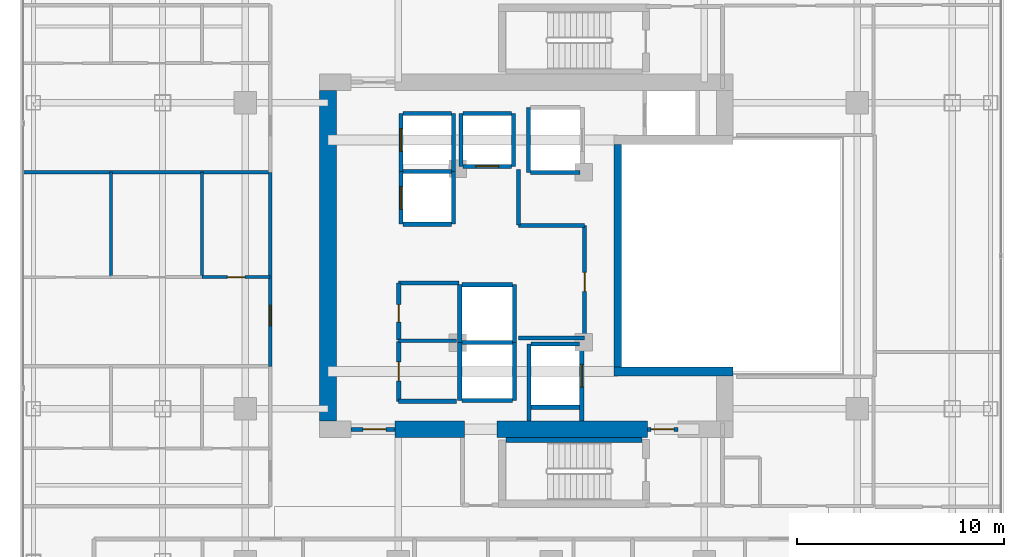
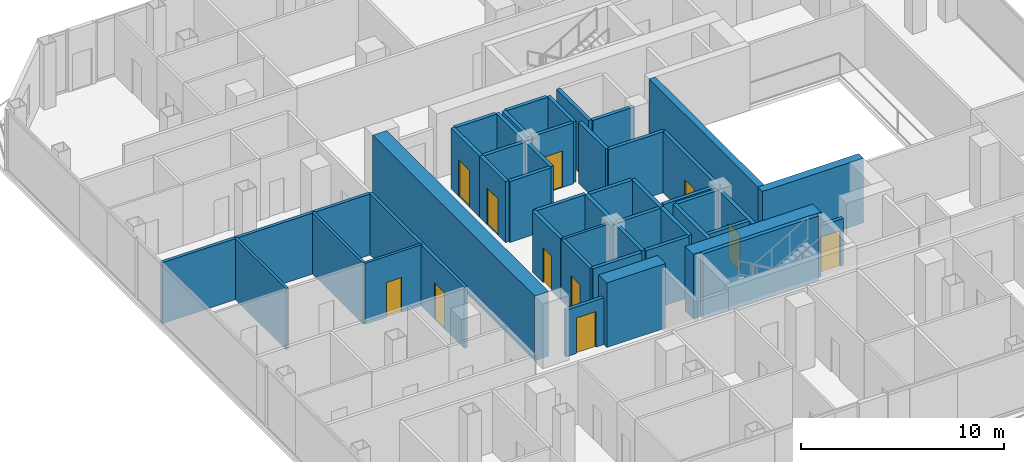
# One storey, part 20 of 26: 46 walls, 11 doors, 11 openings.
"""IFC4 building model written with IfcOpenShell, lengths in metres."""

import ifcopenshell
import ifcopenshell.guid

model = None  # the IFC model being written
_history = None  # IfcOwnerHistory: only IFC2X3 demands one
_inside = {}  # id of a spatial element -> (the spatial element, [elements in it])
_under = {}  # id of a project, library or spatial element -> (it, [spatial elements below it])
_declared = {}  # id of a project -> (the project, [libraries it declares])
_typed = {}  # id of a type object -> (the type object, [elements of that type])
_made_of = {}  # id of a material, layer set ... -> (it, [elements and type objects made of it])


def new_model(schema):
    """Start an empty IFC model of exactly this schema.

    Asked for "IFC4X3", IfcOpenShell would pick the latest addendum, in which some entities
    have other attributes; the version numbers below select the first issue.
    IFC2X3 requires an IfcOwnerHistory on every rooted entity: one is made here for all.
    """
    global model, _history
    if schema == "IFC4X3":
        model = ifcopenshell.file(schema_version=(4, 3, 0, 0))
    else:
        model = ifcopenshell.file(schema=schema)
    _inside.clear()
    _under.clear()
    _declared.clear()
    _typed.clear()
    _made_of.clear()
    _history = None
    if model.schema == "IFC2X3":
        org = make("IfcOrganization", Name="unknown")
        user = make(
            "IfcPersonAndOrganization",
            ThePerson=make("IfcPerson", FamilyName="unknown"),
            TheOrganization=org,
        )
        app = make(
            "IfcApplication",
            ApplicationDeveloper=org,
            Version="unknown",
            ApplicationFullName="unknown",
            ApplicationIdentifier="unknown",
        )
        _history = make(
            "IfcOwnerHistory",
            OwningUser=user,
            OwningApplication=app,
            ChangeAction="ADDED",
            CreationDate=0,
        )
    return model


def make(cls, **values):
    """One entity of the class cls with the attributes given. An attribute that is None is left unset."""
    return model.create_entity(
        cls, **{name: value for name, value in values.items() if value is not None}
    )


def rooted(cls, **values):
    """An entity with a GlobalId (a new one), such as an element, a storey or a relation."""
    return make(cls, GlobalId=ifcopenshell.guid.new(), OwnerHistory=_history, **values)


def si_unit(unit_type, name, prefix=None):
    """IfcSIUnit, for example si_unit("LENGTHUNIT", "METRE", prefix="MILLI")."""
    return make("IfcSIUnit", UnitType=unit_type, Prefix=prefix, Name=name)


def assignment(units):
    """IfcUnitAssignment: the units of a project."""
    return None if units is None else make("IfcUnitAssignment", Units=units)


def point(xyz):
    """IfcCartesianPoint."""
    return None if xyz is None else make("IfcCartesianPoint", Coordinates=xyz)


def direction(xyz):
    """IfcDirection."""
    return None if xyz is None else make("IfcDirection", DirectionRatios=xyz)


def frame(location, z_axis=None, x_axis=None):
    """IfcAxis2Placement3D, a coordinate frame: its origin and axes. An axis left out is left unset."""
    return make(
        "IfcAxis2Placement3D",
        Location=point(location),
        Axis=direction(z_axis),
        RefDirection=direction(x_axis),
    )


def frame_2d(location, x_axis=None):
    """IfcAxis2Placement2D, a coordinate frame in the plane: its origin and x axis."""
    return make(
        "IfcAxis2Placement2D", Location=point(location), RefDirection=direction(x_axis)
    )


def origin():
    """The frame at (0, 0, 0) with its axes left unset."""
    return frame((0.0, 0.0, 0.0))


def place(relative_to, where):
    """IfcLocalPlacement: puts the frame where relative to a parent placement (None: the world)."""
    return make(
        "IfcLocalPlacement", PlacementRelTo=relative_to, RelativePlacement=where
    )


def context(
    kind, dimensions, precision=None, world=None, true_north=None, identifier=None
):
    """IfcGeometricRepresentationContext, for example the 3D "Model" context."""
    return make(
        "IfcGeometricRepresentationContext",
        ContextIdentifier=identifier,
        ContextType=kind,
        CoordinateSpaceDimension=dimensions,
        Precision=precision,
        WorldCoordinateSystem=world,
        TrueNorth=true_north,
    )


def subcontext(parent, identifier, kind, view, scale=None):
    """IfcGeometricRepresentationSubContext, for example "Body" below "Model"."""
    return make(
        "IfcGeometricRepresentationSubContext",
        ContextIdentifier=identifier,
        ContextType=kind,
        ParentContext=parent,
        TargetScale=scale,
        TargetView=view,
    )


def project(units=None, contexts=None):
    """IfcProject with its units and contexts."""
    return rooted(
        "IfcProject",
        Name="project",
        RepresentationContexts=contexts,
        UnitsInContext=assignment(units),
    )


def spatial(cls, under=None, at=None, **own):
    """A site, building, storey or space (cls), placed at a placement, below another one or the project."""
    s = rooted(cls, ObjectPlacement=at, **own)
    if under is not None:
        _under.setdefault(under.id(), (under, []))[1].append(s)
    return s


def profile(cls, at=None, kind="AREA", **sizes):
    """A parametric profile (cls). Its sizes go by their IFC names, for example OverallWidth=200.0."""
    return make(cls, ProfileType=kind, Position=at, **sizes)


def rectangle(**sizes):
    """IfcRectangleProfileDef."""
    return profile("IfcRectangleProfileDef", **sizes)


def extrude(swept, where, along, depth):
    """IfcExtrudedAreaSolid: the profile swept, set in the frame where, extruded along a direction by depth."""
    return make(
        "IfcExtrudedAreaSolid",
        SweptArea=swept,
        Position=where,
        ExtrudedDirection=direction(along),
        Depth=depth,
    )


def shape(context_of_items, identifier, shape_type, items):
    """IfcShapeRepresentation: the items that make up one representation, for example the "Body"."""
    return make(
        "IfcShapeRepresentation",
        ContextOfItems=context_of_items,
        RepresentationIdentifier=identifier,
        RepresentationType=shape_type,
        Items=items,
    )


def material(Name=None, Category=None):
    """IfcMaterial."""
    return make("IfcMaterial", Name=Name, Category=Category)


def layer(
    of_material, thickness, ventilated=None, Name=None, Category=None, Priority=None
):
    """IfcMaterialLayer: one layer of a wall or slab, of a material (None: an air gap)."""
    return make(
        "IfcMaterialLayer",
        Material=of_material,
        LayerThickness=thickness,
        IsVentilated=ventilated,
        Name=Name,
        Category=Category,
        Priority=Priority,
    )


def layer_set(layers, Name=None):
    """IfcMaterialLayerSet."""
    return make("IfcMaterialLayerSet", MaterialLayers=layers, LayerSetName=Name)


def made_of(thing, what):
    """Note that an element or type object is made of a material, layer set ...; save() writes the relation."""
    if what is not None:
        _made_of.setdefault(what.id(), (what, []))[1].append(thing)
    return thing


def type_object(cls, material=None, **own):
    """A type object (cls), such as IfcWallType, which elements share."""
    return made_of(rooted(cls, **own), material)


def element(
    cls,
    number,
    at=None,
    inside=None,
    cuts=None,
    type_object=None,
    material=None,
    context=None,
    identifier="Body",
    shape_type=None,
    held_by="IfcProductDefinitionShape",
    body=None,
    shapes=None,
    **own,
):
    """One element of the class cls, such as IfcWall. Its Tag is "e" and its number.

    at: its placement. inside: the storey or other place that contains it. cuts: it is an
    opening in that element (IfcRelVoidsElement). A single representation is given by context,
    identifier, shape_type and body (its items); several are given by shapes. held_by: the class
    of the entity that holds the representations. save() writes the other relations.
    """
    e = rooted(cls, Tag="e%d" % number, ObjectPlacement=at, **own)
    if body is not None:
        shapes = [shape(context, identifier, shape_type, body)]
    if shapes is not None:
        e.Representation = make(held_by, Representations=shapes)
    if inside is not None:
        _inside.setdefault(inside.id(), (inside, []))[1].append(e)
    if cuts is not None:
        rooted(
            "IfcRelVoidsElement", RelatingBuildingElement=cuts, RelatedOpeningElement=e
        )
    if type_object is not None:
        _typed.setdefault(type_object.id(), (type_object, []))[1].append(e)
    return made_of(e, material)


def fill(opening, filler):
    """IfcRelFillsElement: the door or window that sits in an opening."""
    return rooted(
        "IfcRelFillsElement",
        RelatingOpeningElement=opening,
        RelatedBuildingElement=filler,
    )


def aggregate(whole, parts):
    """IfcRelAggregates: a whole, such as a stair, and the parts it consists of."""
    return rooted("IfcRelAggregates", RelatingObject=whole, RelatedObjects=parts)


def save(model, path):
    """Write the relations noted so far, then the file.

    IfcRelAggregates (storeys below a building ...), IfcRelContainedInSpatialStructure (elements
    in a storey), IfcRelDefinesByType, IfcRelAssociatesMaterial and IfcRelDeclares: one each for
    every whole, place, type object, material and project.
    """
    for whole, parts in _under.values():
        aggregate(whole, parts)
    for where, things in _inside.values():
        rooted(
            "IfcRelContainedInSpatialStructure",
            RelatedElements=things,
            RelatingStructure=where,
        )
    for kind, things in _typed.values():
        rooted("IfcRelDefinesByType", RelatedObjects=things, RelatingType=kind)
    for what, things in _made_of.values():
        rooted("IfcRelAssociatesMaterial", RelatedObjects=things, RelatingMaterial=what)
    for by, libraries in _declared.values():
        rooted("IfcRelDeclares", RelatingContext=by, RelatedDefinitions=libraries)
    model.write(path)


model = new_model("IFC4")

# Units and contexts
model_context = context("Model", 3, precision=1e-05, world=origin(), true_north=direction((0.0, 1.0)))
body_context = subcontext(model_context, "Body", "Model", "MODEL_VIEW")
ifc_project = project(units=[si_unit("LENGTHUNIT", "METRE"), si_unit("AREAUNIT", "SQUARE_METRE"), si_unit("VOLUMEUNIT", "CUBIC_METRE"), si_unit("PLANEANGLEUNIT", "RADIAN"), si_unit("MASSUNIT", "GRAM", prefix="KILO")], contexts=[model_context])

# Site, building, storey
site_placement = place(None, origin())
site = spatial("IfcSite", under=ifc_project, at=site_placement, CompositionType="ELEMENT")
building_placement = place(site_placement, origin())
building = spatial("IfcBuilding", under=site, at=building_placement, Name="Khorvyn Point Tower", CompositionType="ELEMENT")
storey_placement = place(building_placement, frame((0.0, 0.0, 183.60009765625)))
storey = spatial("IfcBuildingStorey", under=building, at=storey_placement, Name="L45", CompositionType="ELEMENT", Elevation=183.60009765625)

# Wall, opening, door
ifc_material_1 = material(Name="Double acoustic gypsum on twin steel stud", Category="steel")
ifc_layer_1 = layer(ifc_material_1, 0.179931640625)
ifc_layer_set_1 = layer_set([ifc_layer_1], Name="Acoustic Double-Stud Apartment Demising Wall 180")
wall_type_1 = type_object("IfcWallType", Name="Acoustic Double-Stud Apartment Demising Wall 180", PredefinedType="PARTITIONING", material=ifc_layer_set_1)
wall_1_placement = place(storey_placement, frame((-13.60009765625, -5.34912109375, 0.0), z_axis=(0.0, 0.0, 1.0), x_axis=(0.0, 1.0, 0.0)))
wall_1 = element("IfcWall", 1, at=wall_1_placement, inside=storey, type_object=wall_type_1, Name="Wall", PredefinedType="PARTITIONING", context=body_context, shape_type="SweptSolid", body=[
    extrude(rectangle(XDim=9.38916015625, YDim=0.179931640625, at=frame_2d((4.694580078125, 0.0))), origin(), (0.0, 0.0, 1.0), 3.679931640625),
])
opening_1_placement = place(wall_1_placement, frame((1.953125, 0.0, 0.0)))
opening_1 = element("IfcOpeningElement", 2, at=opening_1_placement, cuts=wall_1, Name="Opening ID-AP60", PredefinedType="OPENING", context=body_context, shape_type="SweptSolid", body=[
    extrude(rectangle(XDim=1.0, YDim=2.199951171875, at=frame_2d((0.5, 1.10009765625))), frame((0.0, 0.099853515625, 0.0), z_axis=(0.0, -1.0, 0.0), x_axis=(1.0, 0.0, 0.0)), (0.0, 0.0, 1.0), 0.199951171875),
])
ifc_material_2 = material(Name="Engineered hardwood fire-rated leaf", Category="wood")
door_type_1 = type_object("IfcDoorType", Name="Acoustic Solid-Core Timber Apartment Entrance Door 1000x2200", OperationType="NOTDEFINED", PredefinedType="DOOR", material=ifc_material_2)
door_1_placement = place(opening_1_placement, origin())
door_1 = element("IfcDoor", 3, at=door_1_placement, inside=storey, type_object=door_type_1, Name="Door", OperationType="SINGLE_SWING_RIGHT", OverallHeight=2.199951171875, OverallWidth=1.0, PredefinedType="DOOR", context=body_context, shape_type="SweptSolid", body=[
    extrude(rectangle(XDim=1.0, YDim=2.199951171875, at=frame_2d((0.5, 1.10009765625))), frame((0.0, 0.02490234375, 0.0), z_axis=(0.0, -1.0, 0.0), x_axis=(1.0, 0.0, 0.0)), (0.0, 0.0, 1.0), 0.050048828125),
])
fill(opening_1, door_1)

# Walls
wall_2_placement = place(storey_placement, frame((-25.530029296875, 4.0400390625, 0.0), z_axis=(0.0, 0.0, 1.0), x_axis=(1.0, 0.0, 0.0)))
element("IfcWall", 4, at=wall_2_placement, inside=storey, type_object=wall_type_1, Name="Wall", PredefinedType="PARTITIONING", context=body_context, shape_type="SweptSolid", body=[
    extrude(rectangle(XDim=11.929931640625, YDim=0.179931640625, at=frame_2d((5.96484375, 0.0))), origin(), (0.0, 0.0, 1.0), 3.679931640625),
])
ifc_material_3 = material(Name="Concrete C40/50", Category="concrete")
ifc_layer_2 = layer(ifc_material_3, 0.449951171875)
ifc_layer_set_2 = layer_set([ifc_layer_2], Name="Concrete C40/50 Core Shear Wall 450")
wall_type_2 = type_object("IfcWallType", Name="Concrete C40/50 Core Shear Wall 450", PredefinedType="SHEAR", material=ifc_layer_set_2)
wall_3_placement = place(storey_placement, frame((3.044921875, -5.60009765625, 0.0), z_axis=(0.0, 0.0, 1.0), x_axis=(1.0, 0.0, 0.0)))
element("IfcWall", 5, at=wall_3_placement, inside=storey, type_object=wall_type_2, Name="Wall", PredefinedType="SHEAR", context=body_context, shape_type="SweptSolid", body=[
    extrude(rectangle(XDim=5.755126953125, YDim=0.449951171875, at=frame_2d((2.87744140625, 0.0))), origin(), (0.0, 0.0, 1.0), 3.89990234375),
])

# Wall, opening, door
ifc_layer_3 = layer(ifc_material_3, 0.199951171875)
ifc_layer_set_3 = layer_set([ifc_layer_3], Name="Concrete C40/50 Fire-Lobby Compartment Wall 200")
wall_type_3 = type_object("IfcWallType", Name="Concrete C40/50 Fire-Lobby Compartment Wall 200", PredefinedType="SOLIDWALL", material=ifc_layer_set_3)
wall_4_placement = place(storey_placement, frame((4.64990234375, -8.39990234375, 0.0), z_axis=(0.0, 0.0, 1.0), x_axis=(1.0, 0.0, 0.0)))
wall_4 = element("IfcWall", 6, at=wall_4_placement, inside=storey, type_object=wall_type_3, Name="Wall", PredefinedType="SOLIDWALL", context=body_context, shape_type="SweptSolid", body=[
    extrude(rectangle(XDim=1.47021484375, YDim=0.199951171875, at=frame_2d((0.735107421875, 0.0))), origin(), (0.0, 0.0, 1.0), 2.81982421875),
])
opening_2_placement = place(wall_4_placement, frame((0.18505859375, 0.0, 0.0)))
opening_2 = element("IfcOpeningElement", 7, at=opening_2_placement, cuts=wall_4, Name="Opening ID-FL90", PredefinedType="OPENING", context=body_context, shape_type="SweptSolid", body=[
    extrude(rectangle(XDim=1.10009765625, YDim=2.14990234375, at=frame_2d((0.550048828125, 1.074951171875))), frame((0.0, 0.10986328125, 0.0), z_axis=(0.0, -1.0, 0.0), x_axis=(1.0, 0.0, 0.0)), (0.0, 0.0, 1.0), 0.219970703125),
])
ifc_material_4 = material(Name="Galvanised powder-coated steel", Category="steel")
door_type_2 = type_object("IfcDoorType", Name="Fire-Rated Steel Lobby and Stair Door 1100x2150", OperationType="NOTDEFINED", PredefinedType="DOOR", material=ifc_material_4)
door_2_placement = place(opening_2_placement, origin())
door_2 = element("IfcDoor", 8, at=door_2_placement, inside=storey, type_object=door_type_2, Name="Door", OperationType="SINGLE_SWING_RIGHT", OverallHeight=2.14990234375, OverallWidth=1.10009765625, PredefinedType="DOOR", context=body_context, shape_type="SweptSolid", body=[
    extrude(rectangle(XDim=1.10009765625, YDim=2.14990234375, at=frame_2d((0.550048828125, 1.074951171875))), frame((0.0, 0.02490234375, 0.0), z_axis=(0.0, -1.0, 0.0), x_axis=(1.0, 0.0, 0.0)), (0.0, 0.0, 1.0), 0.050048828125),
])
fill(opening_2, door_2)

wall_5_placement = place(storey_placement, frame((-9.699951171875, -8.39990234375, 0.0), z_axis=(0.0, 0.0, 1.0), x_axis=(1.0, 0.0, 0.0)))
wall_5 = element("IfcWall", 9, at=wall_5_placement, inside=storey, type_object=wall_type_3, Name="Wall", PredefinedType="SOLIDWALL", context=body_context, shape_type="SweptSolid", body=[
    extrude(rectangle(XDim=2.14990234375, YDim=0.199951171875, at=frame_2d((1.074951171875, 0.0))), origin(), (0.0, 0.0, 1.0), 2.81982421875),
])
opening_3_placement = place(wall_5_placement, frame((0.597900390625, 0.0, 0.0)))
opening_3 = element("IfcOpeningElement", 10, at=opening_3_placement, cuts=wall_5, Name="Opening ID-FL90", PredefinedType="OPENING", context=body_context, shape_type="SweptSolid", body=[
    extrude(rectangle(XDim=1.10009765625, YDim=2.14990234375, at=frame_2d((0.550048828125, 1.074951171875))), frame((0.0, 0.10986328125, 0.0), z_axis=(0.0, -1.0, 0.0), x_axis=(1.0, 0.0, 0.0)), (0.0, 0.0, 1.0), 0.219970703125),
])
door_3_placement = place(opening_3_placement, origin())
door_3 = element("IfcDoor", 11, at=door_3_placement, inside=storey, type_object=door_type_2, Name="Door", OperationType="SINGLE_SWING_RIGHT", OverallHeight=2.14990234375, OverallWidth=1.10009765625, PredefinedType="DOOR", context=body_context, shape_type="SweptSolid", body=[
    extrude(rectangle(XDim=1.10009765625, YDim=2.14990234375, at=frame_2d((0.550048828125, 1.074951171875))), frame((0.0, 0.02490234375, 0.0), z_axis=(0.0, -1.0, 0.0), x_axis=(1.0, 0.0, 0.0)), (0.0, 0.0, 1.0), 0.050048828125),
])
fill(opening_3, door_3)

wall_6_placement = place(storey_placement, frame((1.610107421875, -3.97998046875, 0.0), z_axis=(0.0, 0.0, 1.0), x_axis=(0.0, 1.0, 0.0)))
wall_6 = element("IfcWall", 12, at=wall_6_placement, inside=storey, type_object=wall_type_3, Name="Wall", PredefinedType="SOLIDWALL", context=body_context, shape_type="SweptSolid", body=[
    extrude(rectangle(XDim=5.43994140625, YDim=0.199951171875, at=frame_2d((2.719970703125, 0.0))), origin(), (0.0, 0.0, 1.0), 3.679931640625),
])
opening_4_placement = place(wall_6_placement, frame((2.260009765625, 0.0, 0.0)))
opening_4 = element("IfcOpeningElement", 13, at=opening_4_placement, cuts=wall_6, Name="Opening ID-RS60", PredefinedType="OPENING", context=body_context, shape_type="SweptSolid", body=[
    extrude(rectangle(XDim=0.919921875, YDim=2.10009765625, at=frame_2d((0.4599609375, 1.050048828125))), frame((0.0, 0.10986328125, 0.0), z_axis=(0.0, -1.0, 0.0), x_axis=(1.0, 0.0, 0.0)), (0.0, 0.0, 1.0), 0.219970703125),
])
door_type_3 = type_object("IfcDoorType", Name="Fire-Rated Riser and Store Steel Door 920x2100", OperationType="NOTDEFINED", PredefinedType="DOOR", material=ifc_material_4)
door_4_placement = place(opening_4_placement, origin())
door_4 = element("IfcDoor", 14, at=door_4_placement, inside=storey, type_object=door_type_3, Name="Door", OperationType="SINGLE_SWING_LEFT", OverallHeight=2.10009765625, OverallWidth=0.919921875, PredefinedType="DOOR", context=body_context, shape_type="SweptSolid", body=[
    extrude(rectangle(XDim=0.919921875, YDim=2.10009765625, at=frame_2d((0.4599609375, 1.050048828125))), frame((0.0, 0.02490234375, 0.0), z_axis=(0.0, -1.0, 0.0), x_axis=(1.0, 0.0, 0.0)), (0.0, 0.0, 1.0), 0.050048828125),
])
fill(opening_4, door_4)

wall_7_placement = place(storey_placement, frame((-7.3798828125, -7.0400390625, 0.0), z_axis=(0.0, 0.0, 1.0), x_axis=(0.0, 1.0, 0.0)))
wall_7 = element("IfcWall", 15, at=wall_7_placement, inside=storey, type_object=wall_type_3, Name="Wall", PredefinedType="SOLIDWALL", context=body_context, shape_type="SweptSolid", body=[
    extrude(rectangle(XDim=2.900146484375, YDim=0.199951171875, at=frame_2d((1.4501953125, 0.0))), origin(), (0.0, 0.0, 1.0), 3.679931640625),
])
opening_5_placement = place(wall_7_placement, frame((0.989990234375, 0.0, 0.0)))
opening_5 = element("IfcOpeningElement", 16, at=opening_5_placement, cuts=wall_7, Name="Opening ID-RS60", PredefinedType="OPENING", context=body_context, shape_type="SweptSolid", body=[
    extrude(rectangle(XDim=0.919921875, YDim=2.10009765625, at=frame_2d((0.4599609375, 1.050048828125))), frame((0.0, 0.10986328125, 0.0), z_axis=(0.0, -1.0, 0.0), x_axis=(1.0, 0.0, 0.0)), (0.0, 0.0, 1.0), 0.219970703125),
])
door_5_placement = place(opening_5_placement, origin())
door_5 = element("IfcDoor", 17, at=door_5_placement, inside=storey, type_object=door_type_3, Name="Door", OperationType="SINGLE_SWING_RIGHT", OverallHeight=2.10009765625, OverallWidth=0.919921875, PredefinedType="DOOR", context=body_context, shape_type="SweptSolid", body=[
    extrude(rectangle(XDim=0.919921875, YDim=2.10009765625, at=frame_2d((0.4599609375, 1.050048828125))), frame((0.0, 0.02490234375, 0.0), z_axis=(0.0, -1.0, 0.0), x_axis=(1.0, 0.0, 0.0)), (0.0, 0.0, 1.0), 0.050048828125),
])
fill(opening_5, door_5)

wall_8_placement = place(storey_placement, frame((-7.3798828125, -4.080078125, 0.0), z_axis=(0.0, 0.0, 1.0), x_axis=(0.0, 1.0, 0.0)))
wall_8 = element("IfcWall", 18, at=wall_8_placement, inside=storey, type_object=wall_type_3, Name="Wall", PredefinedType="SOLIDWALL", context=body_context, shape_type="SweptSolid", body=[
    extrude(rectangle(XDim=2.760009765625, YDim=0.199951171875, at=frame_2d((1.3798828125, 0.0))), origin(), (0.0, 0.0, 1.0), 3.679931640625),
])
opening_6_placement = place(wall_8_placement, frame((0.86669921875, 0.0, 0.0)))
opening_6 = element("IfcOpeningElement", 19, at=opening_6_placement, cuts=wall_8, Name="Opening ID-WC85", PredefinedType="OPENING", context=body_context, shape_type="SweptSolid", body=[
    extrude(rectangle(XDim=0.85009765625, YDim=2.10009765625, at=frame_2d((0.425048828125, 1.050048828125))), frame((0.0, 0.10986328125, 0.0), z_axis=(0.0, -1.0, 0.0), x_axis=(1.0, 0.0, 0.0)), (0.0, 0.0, 1.0), 0.219970703125),
])
ifc_material_5 = material(Name="High-pressure laminate on moisture-resistant core", Category="wood")
door_type_4 = type_object("IfcDoorType", Name="Moisture-Resistant Accessible Washroom Door 850x2100", OperationType="NOTDEFINED", PredefinedType="DOOR", material=ifc_material_5)
door_6_placement = place(opening_6_placement, origin())
door_6 = element("IfcDoor", 20, at=door_6_placement, inside=storey, type_object=door_type_4, Name="Door", OperationType="SINGLE_SWING_LEFT", OverallHeight=2.10009765625, OverallWidth=0.85009765625, PredefinedType="DOOR", context=body_context, shape_type="SweptSolid", body=[
    extrude(rectangle(XDim=0.85009765625, YDim=2.10009765625, at=frame_2d((0.425048828125, 1.050048828125))), frame((0.0, 0.02490234375, 0.0), z_axis=(0.0, -1.0, 0.0), x_axis=(1.0, 0.0, 0.0)), (0.0, 0.0, 1.0), 0.050048828125),
])
fill(opening_6, door_6)

# Walls
wall_9_placement = place(storey_placement, frame((-7.3798828125, -1.320068359375, 0.0), z_axis=(0.0, 0.0, 1.0), x_axis=(1.0, 0.0, 0.0)))
element("IfcWall", 21, at=wall_9_placement, inside=storey, type_object=wall_type_3, Name="Wall", PredefinedType="SOLIDWALL", context=body_context, shape_type="SweptSolid", body=[
    extrude(rectangle(XDim=2.909912109375, YDim=0.199951171875, at=frame_2d((1.455078125, 0.0))), origin(), (0.0, 0.0, 1.0), 3.679931640625),
])
wall_10_placement = place(storey_placement, frame((-1.580078125, 1.47998046875, 0.0), z_axis=(0.0, 0.0, 1.0), x_axis=(0.0, 1.0, 0.0)))
element("IfcWall", 22, at=wall_10_placement, inside=storey, type_object=wall_type_3, Name="Wall", PredefinedType="SOLIDWALL", context=body_context, shape_type="SweptSolid", body=[
    extrude(rectangle(XDim=2.699951171875, YDim=0.199951171875, at=frame_2d((1.35009765625, 0.0))), origin(), (0.0, 0.0, 1.0), 3.679931640625),
])
for number, where, z_axis, x_axis, name in (
    (23, (-1.580078125, -3.97998046875, 0.0), (0.0, 0.0, 1.0), (1.0, 0.0, 0.0), "Wall"),
    (24, (-1.580078125, 1.4599609375, 0.0), (0.0, 0.0, 1.0), (1.0, 0.0, 0.0), "Wall"),
):
    element("IfcWall", number, at=place(storey_placement, frame(where, z_axis=z_axis, x_axis=x_axis)), inside=storey, type_object=wall_type_3, Name=name, PredefinedType="SOLIDWALL", context=body_context, shape_type="SweptSolid", body=[
        extrude(rectangle(XDim=3.190185546875, YDim=0.199951171875, at=frame_2d((1.59521484375, 0.0))), origin(), (0.0, 0.0, 1.0), 3.679931640625),
    ])
wall_11_placement = place(storey_placement, frame((-7.3798828125, -7.0400390625, 0.0), z_axis=(0.0, 0.0, 1.0), x_axis=(1.0, 0.0, 0.0)))
element("IfcWall", 25, at=wall_11_placement, inside=storey, type_object=wall_type_3, Name="Wall", PredefinedType="SOLIDWALL", context=body_context, shape_type="SweptSolid", body=[
    extrude(rectangle(XDim=2.7998046875, YDim=0.199951171875, at=frame_2d((1.39990234375, 0.0))), origin(), (0.0, 0.0, 1.0), 3.679931640625),
])
ifc_layer_4 = layer(ifc_material_3, 0.25)
ifc_layer_set_4 = layer_set([ifc_layer_4], Name="Concrete C40/50 Stair Inner Cheek Structural Wall 250")
wall_type_4 = type_object("IfcWallType", Name="Concrete C40/50 Stair Inner Cheek Structural Wall 250", PredefinedType="SHEAR", material=ifc_layer_set_4)
wall_12_placement = place(storey_placement, frame((-2.199951171875, -8.91259765625, 0.0), z_axis=(0.0, 0.0, 1.0), x_axis=(1.0, 0.0, 0.0)))
element("IfcWall", 26, at=wall_12_placement, inside=storey, type_object=wall_type_4, Name="Wall", PredefinedType="SHEAR", context=body_context, shape_type="SweptSolid", body=[
    extrude(rectangle(XDim=6.599853515625, YDim=0.22509765625, at=frame_2d((3.2998046875, 0.0))), origin(), (0.0, 0.0, 1.0), 3.89990234375),
])
ifc_layer_5 = layer(ifc_material_3, 0.35009765625)
ifc_layer_set_5 = layer_set([ifc_layer_5], Name="Concrete C40/50 Stair Shaft Structural Wall 350")
wall_type_5 = type_object("IfcWallType", Name="Concrete C40/50 Stair Shaft Structural Wall 350", PredefinedType="SHEAR", material=ifc_layer_set_5)
wall_13_placement = place(storey_placement, frame((3.219970703125, -5.375, 0.0), z_axis=(0.0, 0.0, 1.0), x_axis=(0.0, 1.0, 0.0)))
element("IfcWall", 27, at=wall_13_placement, inside=storey, type_object=wall_type_5, Name="Wall", PredefinedType="SHEAR", context=body_context, shape_type="SweptSolid", body=[
    extrude(rectangle(XDim=10.75, YDim=0.35009765625, at=frame_2d((5.375, 0.0))), origin(), (0.0, 0.0, 1.0), 3.89990234375),
])

# Wall, opening, door
ifc_layer_6 = layer(ifc_material_3, 0.199951171875)
ifc_layer_set_6 = layer_set([ifc_layer_6], Name="Concrete C40/50 Structural Hoistway and Stair Shaft Wall 200")
wall_type_6 = type_object("IfcWallType", Name="Concrete C40/50 Structural Hoistway and Stair Shaft Wall 200", PredefinedType="SHEAR", material=ifc_layer_set_6)
wall_14_placement = place(storey_placement, frame((-7.27490234375, 1.52490234375, 0.0), z_axis=(0.0, 0.0, 1.0), x_axis=(0.0, 1.0, 0.0)))
wall_14 = element("IfcWall", 28, at=wall_14_placement, inside=storey, type_object=wall_type_6, Name="Wall", PredefinedType="SHEAR", context=body_context, shape_type="SweptSolid", body=[
    extrude(rectangle(XDim=2.550048828125, YDim=0.199951171875, at=frame_2d((1.27490234375, 0.0))), origin(), (0.0, 0.0, 1.0), 3.679931640625),
])
opening_7_placement = place(wall_14_placement, frame((0.72509765625, 0.0, 0.0)))
opening_7 = element("IfcOpeningElement", 29, at=opening_7_placement, cuts=wall_14, Name="Opening LD-1122", PredefinedType="OPENING", context=body_context, shape_type="SweptSolid", body=[
    extrude(rectangle(XDim=1.10009765625, YDim=2.199951171875, at=frame_2d((0.550048828125, 1.10009765625))), frame((0.0, 0.10986328125, 0.0), z_axis=(0.0, -1.0, 0.0), x_axis=(1.0, 0.0, 0.0)), (0.0, 0.0, 1.0), 0.219970703125),
])
ifc_material_6 = material(Name="Stainless steel 1.4301", Category="steel")
door_type_5 = type_object("IfcDoorType", Name="Stainless Steel Automatic Sliding Lift Landing Door 1100x2200", OperationType="SLIDING_TO_LEFT", PredefinedType="DOOR", material=ifc_material_6)
door_7_placement = place(opening_7_placement, origin())
door_7 = element("IfcDoor", 30, at=door_7_placement, inside=storey, type_object=door_type_5, Name="L45 RM-01 Sliding Lift Landing Door", OperationType="SLIDING_TO_LEFT", OverallHeight=2.199951171875, OverallWidth=1.10009765625, PredefinedType="DOOR", context=body_context, shape_type="SweptSolid", body=[
    extrude(rectangle(XDim=1.10009765625, YDim=2.199951171875, at=frame_2d((0.550048828125, 1.10009765625))), frame((0.0, 0.02490234375, 0.0), z_axis=(0.0, -1.0, 0.0), x_axis=(1.0, 0.0, 0.0)), (0.0, 0.0, 1.0), 0.050048828125),
])
fill(opening_7, door_7)

# Walls
wall_15_placement = place(storey_placement, frame((-4.72509765625, 1.52490234375, 0.0), z_axis=(0.0, 0.0, 1.0), x_axis=(0.0, 1.0, 0.0)))
element("IfcWall", 31, at=wall_15_placement, inside=storey, type_object=wall_type_6, Name="Wall", PredefinedType="SHEAR", context=body_context, shape_type="SweptSolid", body=[
    extrude(rectangle(XDim=2.550048828125, YDim=0.199951171875, at=frame_2d((1.27490234375, 0.0))), origin(), (0.0, 0.0, 1.0), 3.679931640625),
])
for number, where, z_axis, x_axis, name in (
    (32, (-7.175048828125, 1.52490234375, 0.0), (0.0, 0.0, 1.0), (1.0, 0.0, 0.0), "Wall"),
    (33, (-7.175048828125, 4.074951171875, 0.0), (0.0, 0.0, 1.0), (1.0, 0.0, 0.0), "Wall"),
):
    element("IfcWall", number, at=place(storey_placement, frame(where, z_axis=z_axis, x_axis=x_axis)), inside=storey, type_object=wall_type_6, Name=name, PredefinedType="SHEAR", context=body_context, shape_type="SweptSolid", body=[
        extrude(rectangle(XDim=2.35009765625, YDim=0.199951171875, at=frame_2d((1.175048828125, 0.0))), origin(), (0.0, 0.0, 1.0), 3.679931640625),
    ])

# Wall, opening, door
wall_16_placement = place(storey_placement, frame((-7.27490234375, 4.074951171875, 0.0), z_axis=(0.0, 0.0, 1.0), x_axis=(0.0, 1.0, 0.0)))
wall_16 = element("IfcWall", 34, at=wall_16_placement, inside=storey, type_object=wall_type_6, Name="Wall", PredefinedType="SHEAR", context=body_context, shape_type="SweptSolid", body=[
    extrude(rectangle(XDim=2.800048828125, YDim=0.199951171875, at=frame_2d((1.39990234375, 0.0))), origin(), (0.0, 0.0, 1.0), 3.679931640625),
])
opening_8_placement = place(wall_16_placement, frame((0.97509765625, 0.0, 0.0)))
opening_8 = element("IfcOpeningElement", 35, at=opening_8_placement, cuts=wall_16, Name="Opening LD-1122", PredefinedType="OPENING", context=body_context, shape_type="SweptSolid", body=[
    extrude(rectangle(XDim=1.10009765625, YDim=2.199951171875, at=frame_2d((0.550048828125, 1.10009765625))), frame((0.0, 0.10986328125, 0.0), z_axis=(0.0, -1.0, 0.0), x_axis=(1.0, 0.0, 0.0)), (0.0, 0.0, 1.0), 0.219970703125),
])
door_8_placement = place(opening_8_placement, origin())
door_8 = element("IfcDoor", 36, at=door_8_placement, inside=storey, type_object=door_type_5, Name="L45 RM-02 Sliding Lift Landing Door", OperationType="SLIDING_TO_LEFT", OverallHeight=2.199951171875, OverallWidth=1.10009765625, PredefinedType="DOOR", context=body_context, shape_type="SweptSolid", body=[
    extrude(rectangle(XDim=1.10009765625, YDim=2.199951171875, at=frame_2d((0.550048828125, 1.10009765625))), frame((0.0, 0.02490234375, 0.0), z_axis=(0.0, -1.0, 0.0), x_axis=(1.0, 0.0, 0.0)), (0.0, 0.0, 1.0), 0.050048828125),
])
fill(opening_8, door_8)

# Walls
wall_17_placement = place(storey_placement, frame((-4.72509765625, 4.074951171875, 0.0), z_axis=(0.0, 0.0, 1.0), x_axis=(0.0, 1.0, 0.0)))
element("IfcWall", 37, at=wall_17_placement, inside=storey, type_object=wall_type_6, Name="Wall", PredefinedType="SHEAR", context=body_context, shape_type="SweptSolid", body=[
    extrude(rectangle(XDim=2.800048828125, YDim=0.199951171875, at=frame_2d((1.39990234375, 0.0))), origin(), (0.0, 0.0, 1.0), 3.679931640625),
])
wall_18_placement = place(storey_placement, frame((-7.175048828125, 6.875, 0.0), z_axis=(0.0, 0.0, 1.0), x_axis=(1.0, 0.0, 0.0)))
element("IfcWall", 38, at=wall_18_placement, inside=storey, type_object=wall_type_6, Name="Wall", PredefinedType="SHEAR", context=body_context, shape_type="SweptSolid", body=[
    extrude(rectangle(XDim=2.35009765625, YDim=0.199951171875, at=frame_2d((1.175048828125, 0.0))), origin(), (0.0, 0.0, 1.0), 3.679931640625),
])
for number, where, z_axis, x_axis, name in (
    (39, (-4.375, 4.324951171875, 0.0), (0.0, 0.0, 1.0), (0.0, 1.0, 0.0), "Wall"),
    (40, (-1.824951171875, 4.324951171875, 0.0), (0.0, 0.0, 1.0), (0.0, 1.0, 0.0), "Wall"),
):
    element("IfcWall", number, at=place(storey_placement, frame(where, z_axis=z_axis, x_axis=x_axis)), inside=storey, type_object=wall_type_6, Name=name, PredefinedType="SHEAR", context=body_context, shape_type="SweptSolid", body=[
        extrude(rectangle(XDim=2.550048828125, YDim=0.199951171875, at=frame_2d((1.27490234375, 0.0))), origin(), (0.0, 0.0, 1.0), 3.679931640625),
    ])

# Wall, opening, door
wall_19_placement = place(storey_placement, frame((-4.27490234375, 4.324951171875, 0.0), z_axis=(0.0, 0.0, 1.0), x_axis=(1.0, 0.0, 0.0)))
wall_19 = element("IfcWall", 41, at=wall_19_placement, inside=storey, type_object=wall_type_6, Name="Wall", PredefinedType="SHEAR", context=body_context, shape_type="SweptSolid", body=[
    extrude(rectangle(XDim=2.349853515625, YDim=0.199951171875, at=frame_2d((1.1748046875, 0.0))), origin(), (0.0, 0.0, 1.0), 3.679931640625),
])
opening_9_placement = place(wall_19_placement, frame((0.625, 0.0, 0.0)))
opening_9 = element("IfcOpeningElement", 42, at=opening_9_placement, cuts=wall_19, Name="Opening LD-1122", PredefinedType="OPENING", context=body_context, shape_type="SweptSolid", body=[
    extrude(rectangle(XDim=1.10009765625, YDim=2.199951171875, at=frame_2d((0.550048828125, 1.10009765625))), frame((0.0, 0.10986328125, 0.0), z_axis=(0.0, -1.0, 0.0), x_axis=(1.0, 0.0, 0.0)), (0.0, 0.0, 1.0), 0.219970703125),
])
door_9_placement = place(opening_9_placement, origin())
door_9 = element("IfcDoor", 43, at=door_9_placement, inside=storey, type_object=door_type_5, Name="L45 RM-03 Sliding Lift Landing Door", OperationType="SLIDING_TO_LEFT", OverallHeight=2.199951171875, OverallWidth=1.10009765625, PredefinedType="DOOR", context=body_context, shape_type="SweptSolid", body=[
    extrude(rectangle(XDim=1.10009765625, YDim=2.199951171875, at=frame_2d((0.550048828125, 1.10009765625))), frame((0.0, 0.02490234375, 0.0), z_axis=(0.0, -1.0, 0.0), x_axis=(1.0, 0.0, 0.0)), (0.0, 0.0, 1.0), 0.050048828125),
])
fill(opening_9, door_9)

# Walls
wall_20_placement = place(storey_placement, frame((-4.27490234375, 6.875, 0.0), z_axis=(0.0, 0.0, 1.0), x_axis=(1.0, 0.0, 0.0)))
element("IfcWall", 44, at=wall_20_placement, inside=storey, type_object=wall_type_6, Name="Wall", PredefinedType="SHEAR", context=body_context, shape_type="SweptSolid", body=[
    extrude(rectangle(XDim=2.349853515625, YDim=0.199951171875, at=frame_2d((1.1748046875, 0.0))), origin(), (0.0, 0.0, 1.0), 3.679931640625),
])
for number, where, z_axis, x_axis, name in (
    (45, (-4.425048828125, -7.0, 0.0), (0.0, 0.0, 1.0), (0.0, 1.0, 0.0), "Wall"),
    (46, (-1.77490234375, -7.0, 0.0), (0.0, 0.0, 1.0), (0.0, 1.0, 0.0), "Wall"),
):
    element("IfcWall", number, at=place(storey_placement, frame(where, z_axis=z_axis, x_axis=x_axis)), inside=storey, type_object=wall_type_6, Name=name, PredefinedType="SHEAR", context=body_context, shape_type="SweptSolid", body=[
        extrude(rectangle(XDim=2.800048828125, YDim=0.199951171875, at=frame_2d((1.39990234375, 0.0))), origin(), (0.0, 0.0, 1.0), 3.679931640625),
    ])
for number, where, z_axis, x_axis, name in (
    (47, (-4.324951171875, -7.0, 0.0), (0.0, 0.0, 1.0), (1.0, 0.0, 0.0), "Wall"),
    (48, (-4.324951171875, -4.199951171875, 0.0), (0.0, 0.0, 1.0), (1.0, 0.0, 0.0), "Wall"),
):
    element("IfcWall", number, at=place(storey_placement, frame(where, z_axis=z_axis, x_axis=x_axis)), inside=storey, type_object=wall_type_6, Name=name, PredefinedType="SHEAR", context=body_context, shape_type="SweptSolid", body=[
        extrude(rectangle(XDim=2.449951171875, YDim=0.199951171875, at=frame_2d((1.22509765625, 0.0))), origin(), (0.0, 0.0, 1.0), 3.679931640625),
    ])
for number, where, z_axis, x_axis, name in (
    (49, (-4.425048828125, -4.199951171875, 0.0), (0.0, 0.0, 1.0), (0.0, 1.0, 0.0), "Wall"),
    (50, (-1.77490234375, -4.199951171875, 0.0), (0.0, 0.0, 1.0), (0.0, 1.0, 0.0), "Wall"),
):
    element("IfcWall", number, at=place(storey_placement, frame(where, z_axis=z_axis, x_axis=x_axis)), inside=storey, type_object=wall_type_6, Name=name, PredefinedType="SHEAR", context=body_context, shape_type="SweptSolid", body=[
        extrude(rectangle(XDim=2.800048828125, YDim=0.199951171875, at=frame_2d((1.39990234375, 0.0))), origin(), (0.0, 0.0, 1.0), 3.679931640625),
    ])
wall_21_placement = place(storey_placement, frame((-4.324951171875, -1.39990234375, 0.0), z_axis=(0.0, 0.0, 1.0), x_axis=(1.0, 0.0, 0.0)))
element("IfcWall", 51, at=wall_21_placement, inside=storey, type_object=wall_type_6, Name="Wall", PredefinedType="SHEAR", context=body_context, shape_type="SweptSolid", body=[
    extrude(rectangle(XDim=2.449951171875, YDim=0.199951171875, at=frame_2d((1.22509765625, 0.0))), origin(), (0.0, 0.0, 1.0), 3.679931640625),
])
wall_22_placement = place(storey_placement, frame((-1.10009765625, 4.02490234375, 0.0), z_axis=(0.0, 0.0, 1.0), x_axis=(0.0, 1.0, 0.0)))
element("IfcWall", 52, at=wall_22_placement, inside=storey, type_object=wall_type_6, Name="Wall", PredefinedType="SHEAR", context=body_context, shape_type="SweptSolid", body=[
    extrude(rectangle(XDim=3.150146484375, YDim=0.199951171875, at=frame_2d((1.5751953125, 0.0))), origin(), (0.0, 0.0, 1.0), 3.679931640625),
])
wall_23_placement = place(storey_placement, frame((-1.0, 4.02490234375, 0.0), z_axis=(0.0, 0.0, 1.0), x_axis=(1.0, 0.0, 0.0)))
element("IfcWall", 53, at=wall_23_placement, inside=storey, type_object=wall_type_6, Name="Wall", PredefinedType="SHEAR", context=body_context, shape_type="SweptSolid", body=[
    extrude(rectangle(XDim=2.39990234375, YDim=0.199951171875, at=frame_2d((1.199951171875, 0.0))), origin(), (0.0, 0.0, 1.0), 3.679931640625),
])
wall_24_placement = place(storey_placement, frame((-1.074951171875, -8.0, 0.0), z_axis=(0.0, 0.0, 1.0), x_axis=(0.0, 1.0, 0.0)))
element("IfcWall", 54, at=wall_24_placement, inside=storey, type_object=wall_type_6, Name="Wall", PredefinedType="SHEAR", context=body_context, shape_type="SweptSolid", body=[
    extrude(rectangle(XDim=3.72509765625, YDim=0.199951171875, at=frame_2d((1.862548828125, 0.0))), origin(), (0.0, 0.0, 1.0), 3.679931640625),
])

# Wall, opening, door
wall_25_placement = place(storey_placement, frame((1.47509765625, -8.0, 0.0), z_axis=(0.0, 0.0, 1.0), x_axis=(0.0, 1.0, 0.0)))
wall_25 = element("IfcWall", 55, at=wall_25_placement, inside=storey, type_object=wall_type_6, Name="Wall", PredefinedType="SHEAR", context=body_context, shape_type="SweptSolid", body=[
    extrude(rectangle(XDim=3.72509765625, YDim=0.199951171875, at=frame_2d((1.862548828125, 0.0))), origin(), (0.0, 0.0, 1.0), 3.679931640625),
])
opening_10_placement = place(wall_25_placement, frame((1.64990234375, 0.0, 0.0)))
opening_10 = element("IfcOpeningElement", 56, at=opening_10_placement, cuts=wall_25, Name="Opening LD-1122", PredefinedType="OPENING", context=body_context, shape_type="SweptSolid", body=[
    extrude(rectangle(XDim=1.10009765625, YDim=2.199951171875, at=frame_2d((0.550048828125, 1.10009765625))), frame((0.0, 0.10986328125, 0.0), z_axis=(0.0, -1.0, 0.0), x_axis=(1.0, 0.0, 0.0)), (0.0, 0.0, 1.0), 0.219970703125),
])
door_10_placement = place(opening_10_placement, origin())
door_10 = element("IfcDoor", 57, at=door_10_placement, inside=storey, type_object=door_type_5, Name="L45 FF-01 Sliding Lift Landing Door", OperationType="SLIDING_TO_LEFT", OverallHeight=2.199951171875, OverallWidth=1.10009765625, PredefinedType="DOOR", context=body_context, shape_type="SweptSolid", body=[
    extrude(rectangle(XDim=1.10009765625, YDim=2.199951171875, at=frame_2d((0.550048828125, 1.10009765625))), frame((0.0, 0.02490234375, 0.0), z_axis=(0.0, -1.0, 0.0), x_axis=(1.0, 0.0, 0.0)), (0.0, 0.0, 1.0), 0.050048828125),
])
fill(opening_10, door_10)

# Walls
for number, where, z_axis, x_axis, name in (
    (58, (-0.97509765625, -7.324951171875, 0.0), (0.0, 0.0, 1.0), (1.0, 0.0, 0.0), "Wall"),
    (59, (-0.97509765625, -4.27490234375, 0.0), (0.0, 0.0, 1.0), (1.0, 0.0, 0.0), "Wall"),
):
    element("IfcWall", number, at=place(storey_placement, frame(where, z_axis=z_axis, x_axis=x_axis)), inside=storey, type_object=wall_type_6, Name=name, PredefinedType="SHEAR", context=body_context, shape_type="SweptSolid", body=[
        extrude(rectangle(XDim=2.35009765625, YDim=0.199951171875, at=frame_2d((1.175048828125, 0.0))), origin(), (0.0, 0.0, 1.0), 3.679931640625),
    ])
ifc_material_7 = material(Name="Concrete C45/55", Category="concrete")
ifc_layer_7 = layer(ifc_material_7, 0.800048828125)
ifc_layer_set_7 = layer_set([ifc_layer_7], Name="Concrete C45/55 Core Shear Wall 800")
wall_type_7 = type_object("IfcWallType", Name="Concrete C45/55 Core Shear Wall 800", PredefinedType="SHEAR", material=ifc_layer_set_7)
wall_26_placement = place(storey_placement, frame((-7.550048828125, -8.39990234375, 0.0), z_axis=(0.0, 0.0, 1.0), x_axis=(1.0, 0.0, 0.0)))
element("IfcWall", 60, at=wall_26_placement, inside=storey, type_object=wall_type_7, Name="Wall", PredefinedType="SHEAR", context=body_context, shape_type="SweptSolid", body=[
    extrude(rectangle(XDim=3.35009765625, YDim=0.800048828125, at=frame_2d((1.675048828125, 0.0))), origin(), (0.0, 0.0, 1.0), 3.89990234375),
])
wall_27_placement = place(storey_placement, frame((-2.6201171875, -8.39990234375, 0.0), z_axis=(0.0, 0.0, 1.0), x_axis=(1.0, 0.0, 0.0)))
element("IfcWall", 61, at=wall_27_placement, inside=storey, type_object=wall_type_7, Name="Wall", PredefinedType="SHEAR", context=body_context, shape_type="SweptSolid", body=[
    extrude(rectangle(XDim=7.27001953125, YDim=0.800048828125, at=frame_2d((3.635009765625, 0.0))), origin(), (0.0, 0.0, 1.0), 3.89990234375),
])
wall_28_placement = place(storey_placement, frame((-10.800048828125, -8.0, 0.0), z_axis=(0.0, 0.0, 1.0), x_axis=(0.0, 1.0, 0.0)))
element("IfcWall", 62, at=wall_28_placement, inside=storey, type_object=wall_type_7, Name="Wall", PredefinedType="SHEAR", context=body_context, shape_type="SweptSolid", body=[
    extrude(rectangle(XDim=16.0, YDim=0.800048828125, at=frame_2d((8.0, 0.0))), origin(), (0.0, 0.0, 1.0), 3.89990234375),
])

# Wall, opening, door
ifc_material_8 = material(Name="Moisture-resistant gypsum and cement board", Category="gypsum")
ifc_layer_8 = layer(ifc_material_8, 0.14990234375)
ifc_layer_set_8 = layer_set([ifc_layer_8], Name="Moisture-Resistant Wet-Room Partition Wall 150")
wall_type_8 = type_object("IfcWallType", Name="Moisture-Resistant Wet-Room Partition Wall 150", PredefinedType="PARTITIONING", material=ifc_layer_set_8)
wall_29_placement = place(storey_placement, frame((-16.89306640625, -1.030029296875, 0.0), z_axis=(0.0, 0.0, 1.0), x_axis=(1.0, 0.0, 0.0)))
wall_29 = element("IfcWall", 63, at=wall_29_placement, inside=storey, type_object=wall_type_8, Name="Wall", PredefinedType="PARTITIONING", context=body_context, shape_type="SweptSolid", body=[
    extrude(rectangle(XDim=3.29296875, YDim=0.14990234375, at=frame_2d((1.646484375, 0.0))), origin(), (0.0, 0.0, 1.0), 3.679931640625),
])
opening_11_placement = place(wall_29_placement, frame((1.221435546875, 0.0, 0.0)))
opening_11 = element("IfcOpeningElement", 64, at=opening_11_placement, cuts=wall_29, Name="Opening ID-WC85", PredefinedType="OPENING", context=body_context, shape_type="SweptSolid", body=[
    extrude(rectangle(XDim=0.85009765625, YDim=2.10009765625, at=frame_2d((0.425048828125, 1.050048828125))), frame((0.0, 0.0849609375, 0.0), z_axis=(0.0, -1.0, 0.0), x_axis=(1.0, 0.0, 0.0)), (0.0, 0.0, 1.0), 0.169921875),
])
door_11_placement = place(opening_11_placement, origin())
door_11 = element("IfcDoor", 65, at=door_11_placement, inside=storey, type_object=door_type_4, Name="Door", OperationType="SINGLE_SWING_RIGHT", OverallHeight=2.10009765625, OverallWidth=0.85009765625, PredefinedType="DOOR", context=body_context, shape_type="SweptSolid", body=[
    extrude(rectangle(XDim=0.85009765625, YDim=2.10009765625, at=frame_2d((0.425048828125, 1.050048828125))), frame((0.0, 0.02490234375, 0.0), z_axis=(0.0, -1.0, 0.0), x_axis=(1.0, 0.0, 0.0)), (0.0, 0.0, 1.0), 0.050048828125),
])
fill(opening_11, door_11)

# Walls
wall_30_placement = place(storey_placement, frame((-7.3798828125, -4.110107421875, 0.0), z_axis=(0.0, 0.0, 1.0), x_axis=(1.0, 0.0, 0.0)))
element("IfcWall", 66, at=wall_30_placement, inside=storey, type_object=wall_type_8, Name="Wall", PredefinedType="PARTITIONING", context=body_context, shape_type="SweptSolid", body=[
    extrude(rectangle(XDim=2.7998046875, YDim=0.14990234375, at=frame_2d((1.39990234375, 0.0))), origin(), (0.0, 0.0, 1.0), 3.679931640625),
])
for number, where, z_axis, x_axis, name in (
    (67, (-16.89306640625, -1.030029296875, 0.0), (0.0, 0.0, 1.0), (0.0, 1.0, 0.0), "Wall"),
    (68, (-21.2900390625, -1.030029296875, 0.0), (0.0, 0.0, 1.0), (0.0, 1.0, 0.0), "Wall"),
):
    element("IfcWall", number, at=place(storey_placement, frame(where, z_axis=z_axis, x_axis=x_axis)), inside=storey, type_object=wall_type_8, Name=name, PredefinedType="PARTITIONING", context=body_context, shape_type="SweptSolid", body=[
        extrude(rectangle(XDim=5.070068359375, YDim=0.14990234375, at=frame_2d((2.53515625, 0.0))), origin(), (0.0, 0.0, 1.0), 3.679931640625),
    ])

save(model, "model.ifc")
